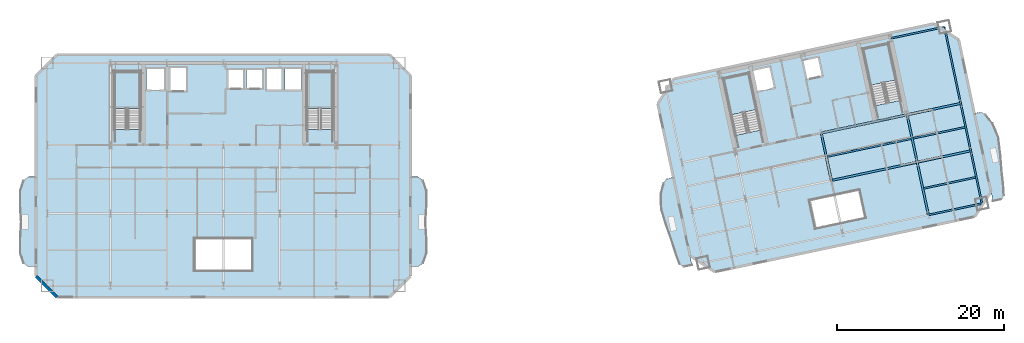
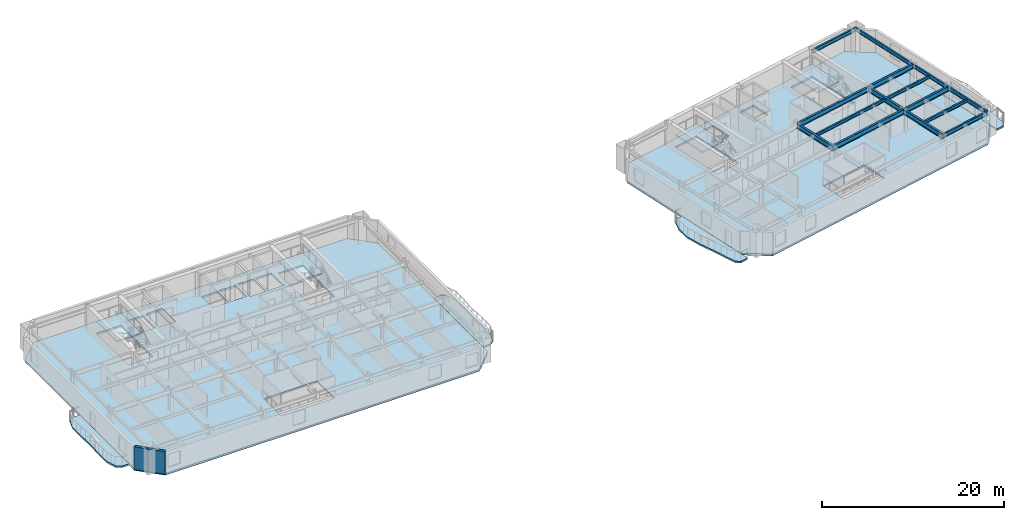
# One storey, part 4 of 13: 15 beams, 10 slabs, 1 wall, 4 elements without a shape of their own.
"""IFC4 building model written with IfcOpenShell, lengths in metres."""

import ifcopenshell
import ifcopenshell.guid

model = None  # the IFC model being written
_history = None  # IfcOwnerHistory: only IFC2X3 demands one
_inside = {}  # id of a spatial element -> (the spatial element, [elements in it])
_under = {}  # id of a project, library or spatial element -> (it, [spatial elements below it])
_declared = {}  # id of a project -> (the project, [libraries it declares])
_typed = {}  # id of a type object -> (the type object, [elements of that type])
_made_of = {}  # id of a material, layer set ... -> (it, [elements and type objects made of it])


def new_model(schema):
    """Start an empty IFC model of exactly this schema.

    Asked for "IFC4X3", IfcOpenShell would pick the latest addendum, in which some entities
    have other attributes; the version numbers below select the first issue.
    IFC2X3 requires an IfcOwnerHistory on every rooted entity: one is made here for all.
    """
    global model, _history
    if schema == "IFC4X3":
        model = ifcopenshell.file(schema_version=(4, 3, 0, 0))
    else:
        model = ifcopenshell.file(schema=schema)
    _inside.clear()
    _under.clear()
    _declared.clear()
    _typed.clear()
    _made_of.clear()
    _history = None
    if model.schema == "IFC2X3":
        org = make("IfcOrganization", Name="unknown")
        user = make(
            "IfcPersonAndOrganization",
            ThePerson=make("IfcPerson", FamilyName="unknown"),
            TheOrganization=org,
        )
        app = make(
            "IfcApplication",
            ApplicationDeveloper=org,
            Version="unknown",
            ApplicationFullName="unknown",
            ApplicationIdentifier="unknown",
        )
        _history = make(
            "IfcOwnerHistory",
            OwningUser=user,
            OwningApplication=app,
            ChangeAction="ADDED",
            CreationDate=0,
        )
    return model


def make(cls, **values):
    """One entity of the class cls with the attributes given. An attribute that is None is left unset."""
    return model.create_entity(
        cls, **{name: value for name, value in values.items() if value is not None}
    )


def rooted(cls, **values):
    """An entity with a GlobalId (a new one), such as an element, a storey or a relation."""
    return make(cls, GlobalId=ifcopenshell.guid.new(), OwnerHistory=_history, **values)


def si_unit(unit_type, name, prefix=None):
    """IfcSIUnit, for example si_unit("LENGTHUNIT", "METRE", prefix="MILLI")."""
    return make("IfcSIUnit", UnitType=unit_type, Prefix=prefix, Name=name)


def assignment(units):
    """IfcUnitAssignment: the units of a project."""
    return None if units is None else make("IfcUnitAssignment", Units=units)


def point(xyz):
    """IfcCartesianPoint."""
    return None if xyz is None else make("IfcCartesianPoint", Coordinates=xyz)


def direction(xyz):
    """IfcDirection."""
    return None if xyz is None else make("IfcDirection", DirectionRatios=xyz)


def frame(location, z_axis=None, x_axis=None):
    """IfcAxis2Placement3D, a coordinate frame: its origin and axes. An axis left out is left unset."""
    return make(
        "IfcAxis2Placement3D",
        Location=point(location),
        Axis=direction(z_axis),
        RefDirection=direction(x_axis),
    )


def frame_2d(location, x_axis=None):
    """IfcAxis2Placement2D, a coordinate frame in the plane: its origin and x axis."""
    return make(
        "IfcAxis2Placement2D", Location=point(location), RefDirection=direction(x_axis)
    )


def origin():
    """The frame at (0, 0, 0) with its axes left unset."""
    return frame((0.0, 0.0, 0.0))


def origin_2d():
    """The frame at (0, 0) in the plane with its x axis left unset."""
    return frame_2d((0.0, 0.0))


def place(relative_to, where):
    """IfcLocalPlacement: puts the frame where relative to a parent placement (None: the world)."""
    return make(
        "IfcLocalPlacement", PlacementRelTo=relative_to, RelativePlacement=where
    )


def context(
    kind, dimensions, precision=None, world=None, true_north=None, identifier=None
):
    """IfcGeometricRepresentationContext, for example the 3D "Model" context."""
    return make(
        "IfcGeometricRepresentationContext",
        ContextIdentifier=identifier,
        ContextType=kind,
        CoordinateSpaceDimension=dimensions,
        Precision=precision,
        WorldCoordinateSystem=world,
        TrueNorth=true_north,
    )


def subcontext(parent, identifier, kind, view, scale=None):
    """IfcGeometricRepresentationSubContext, for example "Body" below "Model"."""
    return make(
        "IfcGeometricRepresentationSubContext",
        ContextIdentifier=identifier,
        ContextType=kind,
        ParentContext=parent,
        TargetScale=scale,
        TargetView=view,
    )


def project(units=None, contexts=None):
    """IfcProject with its units and contexts."""
    return rooted(
        "IfcProject",
        Name="project",
        RepresentationContexts=contexts,
        UnitsInContext=assignment(units),
    )


def spatial(cls, under=None, at=None, **own):
    """A site, building, storey or space (cls), placed at a placement, below another one or the project."""
    s = rooted(cls, ObjectPlacement=at, **own)
    if under is not None:
        _under.setdefault(under.id(), (under, []))[1].append(s)
    return s


def polyline(points):
    """IfcPolyline through the points."""
    return make("IfcPolyline", Points=[point(p) for p in points])


def profile(cls, at=None, kind="AREA", **sizes):
    """A parametric profile (cls). Its sizes go by their IFC names, for example OverallWidth=200.0."""
    return make(cls, ProfileType=kind, Position=at, **sizes)


def rectangle(**sizes):
    """IfcRectangleProfileDef."""
    return profile("IfcRectangleProfileDef", **sizes)


def i_section(**sizes):
    """IfcIShapeProfileDef."""
    return profile("IfcIShapeProfileDef", **sizes)


def outline(outer, holes=None, kind="AREA"):
    """IfcArbitraryClosedProfileDef: a profile drawn as a closed curve; with holes, ...WithVoids."""
    if holes is None:
        return make("IfcArbitraryClosedProfileDef", ProfileType=kind, OuterCurve=outer)
    return make(
        "IfcArbitraryProfileDefWithVoids",
        ProfileType=kind,
        OuterCurve=outer,
        InnerCurves=holes,
    )


def extrude(swept, where, along, depth):
    """IfcExtrudedAreaSolid: the profile swept, set in the frame where, extruded along a direction by depth."""
    return make(
        "IfcExtrudedAreaSolid",
        SweptArea=swept,
        Position=where,
        ExtrudedDirection=direction(along),
        Depth=depth,
    )


def shape(context_of_items, identifier, shape_type, items):
    """IfcShapeRepresentation: the items that make up one representation, for example the "Body"."""
    return make(
        "IfcShapeRepresentation",
        ContextOfItems=context_of_items,
        RepresentationIdentifier=identifier,
        RepresentationType=shape_type,
        Items=items,
    )


def material(Name=None, Category=None):
    """IfcMaterial."""
    return make("IfcMaterial", Name=Name, Category=Category)


def layer(
    of_material, thickness, ventilated=None, Name=None, Category=None, Priority=None
):
    """IfcMaterialLayer: one layer of a wall or slab, of a material (None: an air gap)."""
    return make(
        "IfcMaterialLayer",
        Material=of_material,
        LayerThickness=thickness,
        IsVentilated=ventilated,
        Name=Name,
        Category=Category,
        Priority=Priority,
    )


def layer_set(layers, Name=None):
    """IfcMaterialLayerSet."""
    return make("IfcMaterialLayerSet", MaterialLayers=layers, LayerSetName=Name)


def material_profile(
    of_material, cross_section, Name=None, Category=None, Priority=None
):
    """IfcMaterialProfile: a cross section and its material."""
    return make(
        "IfcMaterialProfile",
        Name=Name,
        Material=of_material,
        Profile=cross_section,
        Priority=Priority,
        Category=Category,
    )


def profile_set(profiles, Name=None, composite=None):
    """IfcMaterialProfileSet."""
    return make(
        "IfcMaterialProfileSet",
        Name=Name,
        MaterialProfiles=profiles,
        CompositeProfile=composite,
    )


def made_of(thing, what):
    """Note that an element or type object is made of a material, layer set ...; save() writes the relation."""
    if what is not None:
        _made_of.setdefault(what.id(), (what, []))[1].append(thing)
    return thing


def type_object(cls, material=None, **own):
    """A type object (cls), such as IfcWallType, which elements share."""
    return made_of(rooted(cls, **own), material)


def element(
    cls,
    number,
    at=None,
    inside=None,
    cuts=None,
    type_object=None,
    material=None,
    context=None,
    identifier="Body",
    shape_type=None,
    held_by="IfcProductDefinitionShape",
    body=None,
    shapes=None,
    **own,
):
    """One element of the class cls, such as IfcWall. Its Tag is "e" and its number.

    at: its placement. inside: the storey or other place that contains it. cuts: it is an
    opening in that element (IfcRelVoidsElement). A single representation is given by context,
    identifier, shape_type and body (its items); several are given by shapes. held_by: the class
    of the entity that holds the representations. save() writes the other relations.
    """
    e = rooted(cls, Tag="e%d" % number, ObjectPlacement=at, **own)
    if body is not None:
        shapes = [shape(context, identifier, shape_type, body)]
    if shapes is not None:
        e.Representation = make(held_by, Representations=shapes)
    if inside is not None:
        _inside.setdefault(inside.id(), (inside, []))[1].append(e)
    if cuts is not None:
        rooted(
            "IfcRelVoidsElement", RelatingBuildingElement=cuts, RelatedOpeningElement=e
        )
    if type_object is not None:
        _typed.setdefault(type_object.id(), (type_object, []))[1].append(e)
    return made_of(e, material)


def aggregate(whole, parts):
    """IfcRelAggregates: a whole, such as a stair, and the parts it consists of."""
    return rooted("IfcRelAggregates", RelatingObject=whole, RelatedObjects=parts)


def save(model, path):
    """Write the relations noted so far, then the file.

    IfcRelAggregates (storeys below a building ...), IfcRelContainedInSpatialStructure (elements
    in a storey), IfcRelDefinesByType, IfcRelAssociatesMaterial and IfcRelDeclares: one each for
    every whole, place, type object, material and project.
    """
    for whole, parts in _under.values():
        aggregate(whole, parts)
    for where, things in _inside.values():
        rooted(
            "IfcRelContainedInSpatialStructure",
            RelatedElements=things,
            RelatingStructure=where,
        )
    for kind, things in _typed.values():
        rooted("IfcRelDefinesByType", RelatedObjects=things, RelatingType=kind)
    for what, things in _made_of.values():
        rooted("IfcRelAssociatesMaterial", RelatedObjects=things, RelatingMaterial=what)
    for by, libraries in _declared.values():
        rooted("IfcRelDeclares", RelatingContext=by, RelatedDefinitions=libraries)
    model.write(path)


model = new_model("IFC4")

# Units and contexts
model_context = context("Model", 3, precision=1e-05, world=origin(), true_north=direction((0.0, 1.0)))
body_context = subcontext(model_context, "Body", "Model", "MODEL_VIEW")
ifc_project = project(units=[si_unit("LENGTHUNIT", "METRE"), si_unit("AREAUNIT", "SQUARE_METRE"), si_unit("VOLUMEUNIT", "CUBIC_METRE"), si_unit("PLANEANGLEUNIT", "RADIAN"), si_unit("MASSUNIT", "GRAM", prefix="KILO")], contexts=[model_context])

# Site, building, storey
site_placement = place(None, origin())
site = spatial("IfcSite", under=ifc_project, at=site_placement, CompositionType="ELEMENT")
building_placement = place(site_placement, origin())
building = spatial("IfcBuilding", under=site, at=building_placement, Name="Haevon Station Towers", CompositionType="ELEMENT")
storey_placement = place(building_placement, frame((0.0, 0.0, 126.300048828125)))
storey = spatial("IfcBuildingStorey", under=building, at=storey_placement, Name="L34", CompositionType="ELEMENT", Elevation=126.300048828125)

# Beams
ifc_material_1 = material(Name="Steel S355", Category="steel")
ifc_material_profile_1 = material_profile(ifc_material_1, i_section(OverallWidth=0.25, OverallDepth=0.64990234375, WebThickness=0.012939453125, FlangeThickness=0.02197265625, at=origin_2d()), Name="H-650x250x13x22")
ifc_profile_set_1 = profile_set([ifc_material_profile_1], Name="Steel S355")
beam_type_1 = type_object("IfcBeamType", Name="BM-G650", PredefinedType="BEAM", material=ifc_profile_set_1)
beam_1_placement = place(storey_placement, frame((110.228759765625, 33.9521484375, 2.724853515625), z_axis=(0.978146794194, 0.207915485254, 0.0), x_axis=(-0.207915485254, 0.978146794194, 0.0)))
element("IfcBeam", 1, at=beam_1_placement, inside=storey, type_object=beam_type_1, Name="BM-T2U-L34-02-03", PredefinedType="BEAM", context=body_context, shape_type="SweptSolid", body=[
    extrude(i_section(OverallWidth=0.25, OverallDepth=0.64990234375, WebThickness=0.012939453125, FlangeThickness=0.02197265625, at=origin_2d()), origin(), (0.0, 0.0, 1.0), 10.5),
])
beam_2_placement = place(storey_placement, frame((120.499267578125, 36.13525390625, 2.724853515625), z_axis=(0.978148524343, 0.207907345532, 0.0), x_axis=(-0.207907345532, 0.978148524343, 0.0)))
element("IfcBeam", 2, at=beam_2_placement, inside=storey, type_object=beam_type_1, Name="BM-T2U-L34-02-04", PredefinedType="BEAM", context=body_context, shape_type="SweptSolid", body=[
    extrude(i_section(OverallWidth=0.25, OverallDepth=0.64990234375, WebThickness=0.012939453125, FlangeThickness=0.02197265625, at=origin_2d()), origin(), (0.0, 0.0, 1.0), 6.550048828125),
])
beam_3_placement = place(storey_placement, frame((109.02294921875, 39.62548828125, 2.724853515625), z_axis=(0.978146794194, 0.207915485254, 0.0), x_axis=(-0.207915485254, 0.978146794194, 0.0)))
element("IfcBeam", 3, at=beam_3_placement, inside=storey, type_object=beam_type_1, Name="BM-T2U-L34-03-03", PredefinedType="BEAM", context=body_context, shape_type="SweptSolid", body=[
    extrude(i_section(OverallWidth=0.25, OverallDepth=0.64990234375, WebThickness=0.012939453125, FlangeThickness=0.02197265625, at=origin_2d()), origin(), (0.0, 0.0, 1.0), 10.5),
])
beam_4_placement = place(storey_placement, frame((119.29345703125, 41.80859375, 2.724853515625), z_axis=(0.978146913123, 0.207914925745, 0.0), x_axis=(-0.207914925745, 0.978146913123, 0.0)))
element("IfcBeam", 4, at=beam_4_placement, inside=storey, type_object=beam_type_1, Name="BM-T2U-L34-03-04", PredefinedType="BEAM", context=body_context, shape_type="SweptSolid", body=[
    extrude(i_section(OverallWidth=0.25, OverallDepth=0.64990234375, WebThickness=0.012939453125, FlangeThickness=0.02197265625, at=origin_2d()), origin(), (0.0, 0.0, 1.0), 6.5498046875),
])
beam_5_placement = place(storey_placement, frame((110.228759765625, 33.9521484375, 2.724853515625), z_axis=(-0.207896009217, 0.97815093383, 0.0), x_axis=(-0.97815093383, -0.207896009217, 0.0)))
element("IfcBeam", 5, at=beam_5_placement, inside=storey, type_object=beam_type_1, Name="BM-T2V-L34-03-02", PredefinedType="BEAM", context=body_context, shape_type="SweptSolid", body=[
    extrude(i_section(OverallWidth=0.25, OverallDepth=0.64990234375, WebThickness=0.012939453125, FlangeThickness=0.02197265625, at=origin_2d()), origin(), (0.0, 0.0, 1.0), 5.800048828125),
])
beam_6_placement = place(storey_placement, frame((121.84033203125, 29.826171875, 2.724853515625), z_axis=(-0.207915795165, 0.978146728319, 0.0), x_axis=(-0.978146728319, -0.207915795165, 0.0)))
element("IfcBeam", 6, at=beam_6_placement, inside=storey, type_object=beam_type_1, Name="BM-T2V-L34-04-01", PredefinedType="BEAM", context=body_context, shape_type="SweptSolid", body=[
    extrude(i_section(OverallWidth=0.25, OverallDepth=0.64990234375, WebThickness=0.012939453125, FlangeThickness=0.02197265625, at=origin_2d()), origin(), (0.0, 0.0, 1.0), 6.449951171875),
])
beam_7_placement = place(storey_placement, frame((120.499267578125, 36.13525390625, 2.724853515625), z_axis=(-0.207896009217, 0.97815093383, 0.0), x_axis=(-0.97815093383, -0.207896009217, 0.0)))
element("IfcBeam", 7, at=beam_7_placement, inside=storey, type_object=beam_type_1, Name="BM-T2V-L34-04-02", PredefinedType="BEAM", context=body_context, shape_type="SweptSolid", body=[
    extrude(i_section(OverallWidth=0.25, OverallDepth=0.64990234375, WebThickness=0.012939453125, FlangeThickness=0.02197265625, at=origin_2d()), origin(), (0.0, 0.0, 1.0), 5.800048828125),
])
ifc_material_profile_2 = material_profile(ifc_material_1, i_section(OverallWidth=0.199951171875, OverallDepth=0.39990234375, WebThickness=0.008056640625, FlangeThickness=0.012939453125, at=origin_2d()), Name="H-400x200x8x13")
ifc_profile_set_2 = profile_set([ifc_material_profile_2], Name="Steel S355")
beam_type_2 = type_object("IfcBeamType", Name="BM-J400", PredefinedType="JOIST", material=ifc_profile_set_2)
beam_8_placement = place(storey_placement, frame((121.27734375, 33.003662109375, 2.849853515625), z_axis=(0.978146498858, 0.207916874669, 0.0), x_axis=(-0.207916874669, 0.978146498858, 0.0)))
element("IfcBeam", 8, at=beam_8_placement, inside=storey, type_object=beam_type_2, Name="BM-T2J-L34-01-04", PredefinedType="JOIST", context=body_context, shape_type="SweptSolid", body=[
    extrude(i_section(OverallWidth=0.199951171875, OverallDepth=0.39990234375, WebThickness=0.008056640625, FlangeThickness=0.012939453125, at=origin_2d()), origin(), (0.0, 0.0, 1.0), 6.330322265625),
])
beam_9_placement = place(storey_placement, frame((109.7333984375, 36.811767578125, 2.849853515625), z_axis=(0.978150339653, 0.207898804801, 0.0), x_axis=(-0.207898804801, 0.978150339653, 0.0)))
element("IfcBeam", 9, at=beam_9_placement, inside=storey, type_object=beam_type_2, Name="BM-T2J-L34-02-03", PredefinedType="JOIST", context=body_context, shape_type="SweptSolid", body=[
    extrude(i_section(OverallWidth=0.199951171875, OverallDepth=0.39990234375, WebThickness=0.008056640625, FlangeThickness=0.012939453125, at=origin_2d()), origin(), (0.0, 0.0, 1.0), 10.280029296875),
])
beam_10_placement = place(storey_placement, frame((120.00390625, 38.994873046875, 2.849853515625), z_axis=(0.978152675037, 0.207887816665, 0.0), x_axis=(-0.207887816665, 0.978152675037, 0.0)))
element("IfcBeam", 10, at=beam_10_placement, inside=storey, type_object=beam_type_2, Name="BM-T2J-L34-02-04", PredefinedType="JOIST", context=body_context, shape_type="SweptSolid", body=[
    extrude(i_section(OverallWidth=0.199951171875, OverallDepth=0.39990234375, WebThickness=0.008056640625, FlangeThickness=0.012939453125, at=origin_2d()), origin(), (0.0, 0.0, 1.0), 6.329833984375),
])
ifc_material_profile_3 = material_profile(ifc_material_1, i_section(OverallWidth=0.199951171875, OverallDepth=0.5, WebThickness=0.010009765625, FlangeThickness=0.01611328125, at=origin_2d()), Name="H-500x200x10x16")
ifc_profile_set_3 = profile_set([ifc_material_profile_3], Name="Steel S355")
beam_type_3 = type_object("IfcBeamType", Name="BM-SP500", PredefinedType="SPANDREL", material=ifc_profile_set_3)
for number, where, z_axis, x_axis, name in (
    (11, (121.84033203125, 29.826171875, 2.800048828125), (0.978148524343, 0.207907345532, 0.0), (-0.207907345532, 0.978148524343, 0.0), "BM-T2U-L34-01-04"),
    (12, (117.349365234375, 50.954345703125, 2.800048828125), (0.978148524343, 0.207907345532, 0.0), (-0.207907345532, 0.978148524343, 0.0), "BM-T2U-L34-04-04"),
):
    element("IfcBeam", number, at=place(storey_placement, frame(where, z_axis=z_axis, x_axis=x_axis)), inside=storey, type_object=beam_type_3, Name=name, PredefinedType="SPANDREL", context=body_context, shape_type="SweptSolid", body=[
        extrude(i_section(OverallWidth=0.199951171875, OverallDepth=0.5, WebThickness=0.010009765625, FlangeThickness=0.01611328125, at=origin_2d()), origin(), (0.0, 0.0, 1.0), 6.550048828125),
    ])
beam_11_placement = place(storey_placement, frame((128.247314453125, 31.18798828125, 2.800048828125), z_axis=(-0.207915795165, 0.978146728319, 0.0), x_axis=(-0.978146728319, -0.207915795165, 0.0)))
element("IfcBeam", 13, at=beam_11_placement, inside=storey, type_object=beam_type_3, Name="BM-T2V-L34-05-01", PredefinedType="SPANDREL", context=body_context, shape_type="SweptSolid", body=[
    extrude(i_section(OverallWidth=0.199951171875, OverallDepth=0.5, WebThickness=0.010009765625, FlangeThickness=0.01611328125, at=origin_2d()), origin(), (0.0, 0.0, 1.0), 6.449951171875),
])
beam_12_placement = place(storey_placement, frame((126.90625, 37.4970703125, 2.800048828125), z_axis=(-0.207936282142, 0.978142373363, 0.0), x_axis=(-0.978142373363, -0.207936282142, 0.0)))
element("IfcBeam", 14, at=beam_12_placement, inside=storey, type_object=beam_type_3, Name="BM-T2V-L34-05-02", PredefinedType="SPANDREL", context=body_context, shape_type="SweptSolid", body=[
    extrude(i_section(OverallWidth=0.199951171875, OverallDepth=0.5, WebThickness=0.010009765625, FlangeThickness=0.01611328125, at=origin_2d()), origin(), (0.0, 0.0, 1.0), 5.800048828125),
])
beam_13_placement = place(storey_placement, frame((125.7001953125, 43.17041015625, 2.800048828125), z_axis=(-0.207897167074, 0.978150687738, 0.0), x_axis=(-0.978150687738, -0.207897167074, 0.0)))
element("IfcBeam", 15, at=beam_13_placement, inside=storey, type_object=beam_type_3, Name="BM-T2V-L34-05-03", PredefinedType="SPANDREL", context=body_context, shape_type="SweptSolid", body=[
    extrude(i_section(OverallWidth=0.199951171875, OverallDepth=0.5, WebThickness=0.010009765625, FlangeThickness=0.01611328125, at=origin_2d()), origin(), (0.0, 0.0, 1.0), 9.35009765625),
])

# Slabs
ifc_material_2 = material(Name="Concrete C40/50", Category="concrete")
ifc_layer_1 = layer(ifc_material_2, 0.219970703125)
ifc_layer_set_1 = layer_set([ifc_layer_1], Name="Concrete C40/50")
slab_type_1 = type_object("IfcSlabType", Name="SL-BALC220", PredefinedType="FLOOR", material=ifc_layer_set_1)
slab_1_placement = place(storey_placement, frame((0.0, 0.0, -0.219970703125)))
element("IfcSlab", 16, at=slab_1_placement, inside=storey, type_object=slab_type_1, Name="Tower 1 L34 West SCALLOPED BALCONY", PredefinedType="FLOOR", context=body_context, shape_type="SweptSolid", body=[
    extrude(outline(polyline([(15.094970703125, 34.39990234375), (14.212890625, 34.39990234375), (13.596435546875, 33.989013671875), (13.202880859375, 32.818359375), (13.180419921875, 31.06640625), (13.248779296875, 29.0), (13.180419921875, 26.93359375), (13.202880859375, 25.181640625), (13.596435546875, 24.010986328125), (14.212890625, 23.60009765625), (15.094970703125, 23.60009765625), (15.094970703125, 34.39990234375)])), origin(), (0.0, 0.0, 1.0), 0.219970703125),
])
slab_2_placement = place(storey_placement, frame((0.0, 0.0, -0.219970703125)))
element("IfcSlab", 17, at=slab_2_placement, inside=storey, type_object=slab_type_1, Name="Tower 1 L34 East SCALLOPED BALCONY", PredefinedType="FLOOR", context=body_context, shape_type="SweptSolid", body=[
    extrude(outline(polyline([(59.905029296875, 23.60009765625), (60.787109375, 23.60009765625), (61.403564453125, 24.010986328125), (61.797119140625, 25.181640625), (61.819580078125, 26.93359375), (61.751220703125, 29.0), (61.819580078125, 31.06640625), (61.797119140625, 32.818359375), (61.403564453125, 33.989013671875), (60.787109375, 34.39990234375), (59.905029296875, 34.39990234375), (59.905029296875, 23.60009765625)])), origin(), (0.0, 0.0, 1.0), 0.219970703125),
])
slab_3_placement = place(storey_placement, frame((0.0, 0.0, -0.219970703125)))
element("IfcSlab", 18, at=slab_3_placement, inside=storey, type_object=slab_type_1, Name="Tower 2 L34 West SCALLOPED BALCONY", PredefinedType="FLOOR", context=body_context, shape_type="SweptSolid", body=[
    extrude(outline(polyline([(91.33203125, 34.33154296875), (90.50048828125, 34.155029296875), (90.15966796875, 33.662353515625), (89.81005859375, 32.39111328125), (89.842529296875, 30.607177734375), (90.400634765625, 28.613037109375), (91.14013671875, 26.657470703125), (91.689208984375, 24.983154296875), (92.1123046875, 23.87646484375), (92.6103515625, 23.56201171875), (93.577392578125, 23.767578125), (91.33203125, 34.33154296875)])), origin(), (0.0, 0.0, 1.0), 0.219970703125),
])
slab_4_placement = place(storey_placement, frame((0.0, 0.0, -0.219970703125)))
element("IfcSlab", 19, at=slab_4_placement, inside=storey, type_object=slab_type_1, Name="Tower 2 L34 East SCALLOPED BALCONY", PredefinedType="FLOOR", context=body_context, shape_type="SweptSolid", body=[
    extrude(outline(polyline([(129.5830078125, 31.4208984375), (130.550048828125, 31.62646484375), (130.877197265625, 32.1162109375), (130.813720703125, 33.29931640625), (130.63427734375, 35.05224609375), (130.514404296875, 37.139404296875), (130.21337890625, 39.188232421875), (129.517333984375, 40.831298828125), (128.6806640625, 41.85009765625), (128.1689453125, 42.16162109375), (127.337646484375, 41.98486328125), (129.5830078125, 31.4208984375)])), origin(), (0.0, 0.0, 1.0), 0.219970703125),
])

# Stair, slab
stair_type = type_object("IfcStairType", Name="STR-DL1450", PredefinedType="USERDEFINED", material=ifc_material_2)
stair_1_placement = place(storey_placement, origin())
stair_1 = element("IfcStair", 20, at=stair_1_placement, inside=storey, type_object=stair_type, Name="L34 Escape Stair ST1", ObjectType="TWO_RETURN_STAIR", PredefinedType="USERDEFINED")
ifc_layer_2 = layer(ifc_material_2, 0.199951171875)
ifc_layer_set_2 = layer_set([ifc_layer_2], Name="Concrete C40/50")
slab_type_2 = type_object("IfcSlabType", Name="SL-LND200", PredefinedType="LANDING", material=ifc_layer_set_2)
slab_5_placement = place(storey_placement, frame((0.0, 0.0, 1.449951171875)))
slab_5 = element("IfcSlab", 21, at=slab_5_placement, type_object=slab_type_2, Name="L34 ST1 Half Landing 1", PredefinedType="LANDING", context=body_context, shape_type="SweptSolid", body=[
    extrude(outline(polyline([(27.580078125, 42.56396484375), (27.580078125, 47.0), (24.47998046875, 47.0), (24.47998046875, 42.56396484375), (27.580078125, 42.56396484375)])), origin(), (0.0, 0.0, 1.0), 0.199951171875),
])
aggregate(stair_1, [slab_5])

stair_2_placement = place(storey_placement, origin())
stair_2 = element("IfcStair", 22, at=stair_2_placement, inside=storey, type_object=stair_type, Name="L34 Escape Stair ST2", ObjectType="TWO_RETURN_STAIR", PredefinedType="USERDEFINED")
slab_6_placement = place(storey_placement, frame((0.0, 0.0, 1.449951171875)))
slab_6 = element("IfcSlab", 23, at=slab_6_placement, type_object=slab_type_2, Name="L34 ST2 Half Landing 1", PredefinedType="LANDING", context=body_context, shape_type="SweptSolid", body=[
    extrude(outline(polyline([(50.6201171875, 42.56396484375), (50.6201171875, 47.0), (47.52001953125, 47.0), (47.52001953125, 42.56396484375), (50.6201171875, 42.56396484375)])), origin(), (0.0, 0.0, 1.0), 0.199951171875),
])
aggregate(stair_2, [slab_6])

stair_3_placement = place(storey_placement, origin())
stair_3 = element("IfcStair", 24, at=stair_3_placement, inside=storey, type_object=stair_type, Name="L34 Escape Stair ST3", ObjectType="TWO_RETURN_STAIR", PredefinedType="USERDEFINED")
slab_7_placement = place(storey_placement, frame((0.0, 0.0, 1.449951171875)))
slab_7 = element("IfcSlab", 25, at=slab_7_placement, type_object=slab_type_2, Name="L34 ST3 Half Landing 1", PredefinedType="LANDING", context=body_context, shape_type="SweptSolid", body=[
    extrude(outline(polyline([(101.2880859375, 42.44287109375), (100.36572265625, 46.781982421875), (97.33349609375, 46.137451171875), (98.255859375, 41.79833984375), (101.2880859375, 42.44287109375)])), origin(), (0.0, 0.0, 1.0), 0.199951171875),
])
aggregate(stair_3, [slab_7])

stair_4_placement = place(storey_placement, origin())
stair_4 = element("IfcStair", 26, at=stair_4_placement, inside=storey, type_object=stair_type, Name="L34 Escape Stair ST4", ObjectType="TWO_RETURN_STAIR", PredefinedType="USERDEFINED")
slab_8_placement = place(storey_placement, frame((0.0, 0.0, 1.449951171875)))
slab_8 = element("IfcSlab", 27, at=slab_8_placement, type_object=slab_type_2, Name="L34 ST4 Half Landing 1", PredefinedType="LANDING", context=body_context, shape_type="SweptSolid", body=[
    extrude(outline(polyline([(117.975341796875, 45.989990234375), (117.052978515625, 50.328857421875), (114.020751953125, 49.684326171875), (114.943115234375, 45.345458984375), (117.975341796875, 45.989990234375)])), origin(), (0.0, 0.0, 1.0), 0.199951171875),
])
aggregate(stair_4, [slab_8])

# Slabs
ifc_layer_3 = layer(ifc_material_2, 0.25)
ifc_layer_set_3 = layer_set([ifc_layer_3], Name="Concrete C40/50")
slab_type_3 = type_object("IfcSlabType", Name="SL-TW250", PredefinedType="FLOOR", material=ifc_layer_set_3)
slab_9_placement = place(storey_placement, frame((0.0, 0.0, -0.25)))
element("IfcSlab", 28, at=slab_9_placement, inside=storey, type_object=slab_type_3, Name="SL-T1-L34", PredefinedType="FLOOR", context=body_context, shape_type="SweptSolid", body=[
    extrude(outline(polyline([(17.60009765625, 20.0), (57.39990234375, 20.0), (59.89990234375, 22.5), (59.89990234375, 46.5), (57.39990234375, 49.0), (17.60009765625, 49.0), (15.10009765625, 46.5), (15.10009765625, 22.5), (17.60009765625, 20.0)]), holes=[polyline([(27.580078125, 40.055908203125), (27.580078125, 47.0), (24.47998046875, 47.0), (24.47998046875, 40.055908203125), (27.580078125, 40.055908203125)]), polyline([(50.6201171875, 40.055908203125), (50.6201171875, 47.0), (47.52001953125, 47.0), (47.52001953125, 40.055908203125), (50.6201171875, 40.055908203125)]), polyline([(28.300048828125, 44.699951171875), (30.5, 44.699951171875), (30.5, 47.39990234375), (28.300048828125, 47.39990234375), (28.300048828125, 44.699951171875)]), polyline([(31.050048828125, 44.60009765625), (33.14990234375, 44.60009765625), (33.14990234375, 47.5), (31.050048828125, 47.5), (31.050048828125, 44.60009765625)]), polyline([(38.0, 44.89990234375), (40.0, 44.89990234375), (40.0, 47.300048828125), (38.0, 47.300048828125), (38.0, 44.89990234375)]), polyline([(40.25, 44.89990234375), (42.25, 44.89990234375), (42.25, 47.300048828125), (40.25, 47.300048828125), (40.25, 44.89990234375)]), polyline([(42.60009765625, 44.699951171875), (44.60009765625, 44.699951171875), (44.60009765625, 47.39990234375), (42.60009765625, 47.39990234375), (42.60009765625, 44.699951171875)]), polyline([(44.85009765625, 44.699951171875), (46.85009765625, 44.699951171875), (46.85009765625, 47.39990234375), (44.85009765625, 47.39990234375), (44.85009765625, 44.699951171875)]), polyline([(34.10009765625, 23.199951171875), (40.89990234375, 23.199951171875), (40.89990234375, 27.0), (34.10009765625, 27.0), (34.10009765625, 23.199951171875)])]), origin(), (0.0, 0.0, 1.0), 0.25),
])
slab_10_placement = place(storey_placement, frame((0.0, 0.0, -0.25)))
element("IfcSlab", 29, at=slab_10_placement, inside=storey, type_object=slab_type_3, Name="SL-T2-L34", PredefinedType="FLOOR", context=body_context, shape_type="SweptSolid", body=[
    extrude(outline(polyline([(96.2978515625, 23.016845703125), (127.403076171875, 29.62841796875), (129.32861328125, 32.593505859375), (125.46142578125, 50.787109375), (122.496337890625, 52.712646484375), (91.391357421875, 46.10107421875), (89.465576171875, 43.135986328125), (93.332763671875, 24.9423828125), (96.2978515625, 23.016845703125)]), holes=[polyline([(101.8095703125, 39.98974609375), (100.36572265625, 46.781982421875), (97.33349609375, 46.137451171875), (98.77734375, 39.34521484375), (101.8095703125, 39.98974609375)]), polyline([(118.496826171875, 43.53662109375), (117.052978515625, 50.328857421875), (114.020751953125, 49.684326171875), (115.464599609375, 42.89208984375), (118.496826171875, 43.53662109375)]), polyline([(101.43212890625, 44.554931640625), (103.486328125, 44.99169921875), (102.9248046875, 47.632568359375), (100.870849609375, 47.196044921875), (101.43212890625, 44.554931640625)]), polyline([(107.259521484375, 45.998046875), (109.2158203125, 46.413818359375), (108.716796875, 48.761474609375), (106.760498046875, 48.345703125), (107.259521484375, 45.998046875)]), polyline([(108.37548828125, 28.2421875), (114.244384765625, 29.489501953125), (113.537353515625, 32.815185546875), (107.668701171875, 31.56787109375), (108.37548828125, 28.2421875)])]), origin(), (0.0, 0.0, 1.0), 0.25),
])

# Wall
ifc_material_3 = material(Name="Precast concrete C45/55", Category="concrete")
ifc_layer_4 = layer(ifc_material_3, 0.320068359375)
ifc_layer_set_4 = layer_set([ifc_layer_4], Name="Precast concrete C45/55")
wall_type = type_object("IfcWallType", Name="WL-EXT-PIER320", PredefinedType="SOLIDWALL", material=ifc_layer_set_4)
wall_placement = place(storey_placement, frame((17.60009765625, 20.0, 0.0), z_axis=(0.0, 0.0, 1.0), x_axis=(-0.707106781187, 0.707106781187, 0.0)))
element("IfcWall", 30, at=wall_placement, inside=storey, type_object=wall_type, Name="WL-T1-L34-SWC", PredefinedType="SOLIDWALL", context=body_context, shape_type="SweptSolid", body=[
    extrude(rectangle(XDim=3.53564453125, YDim=0.320068359375, at=frame_2d((1.767822265625, 0.0))), origin(), (0.0, 0.0, 1.0), 3.030029296875),
])

save(model, "model.ifc")
